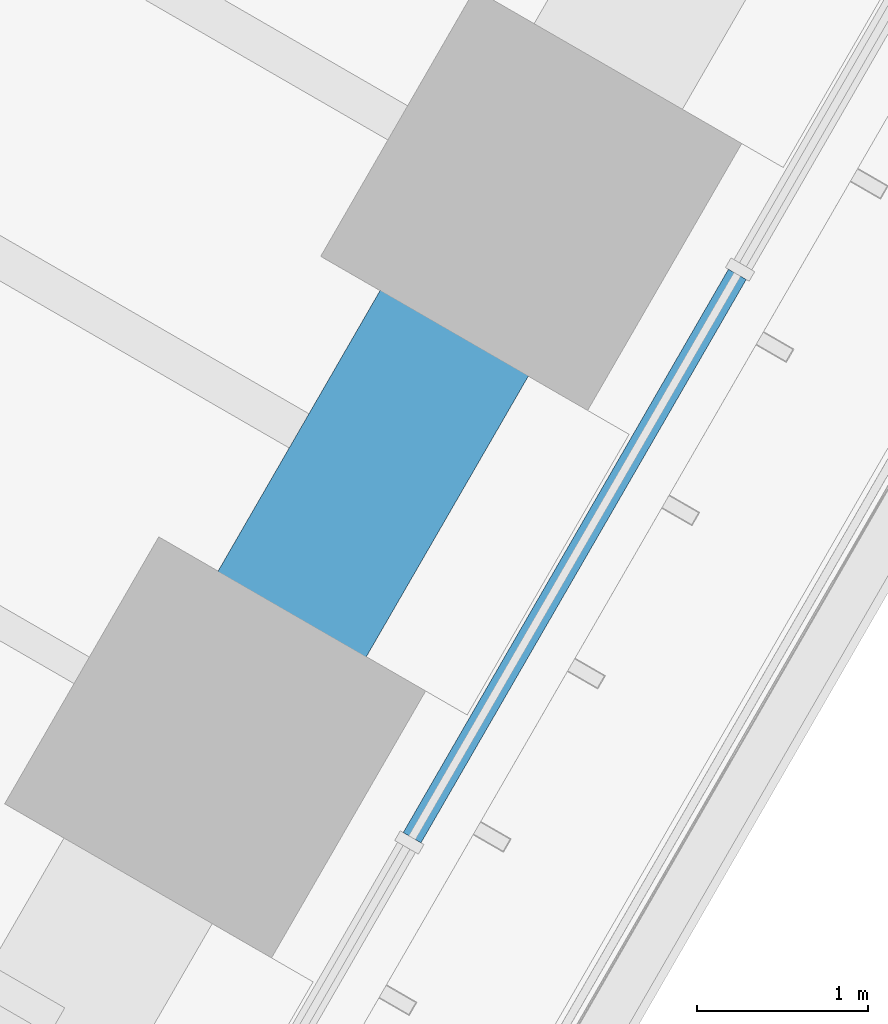
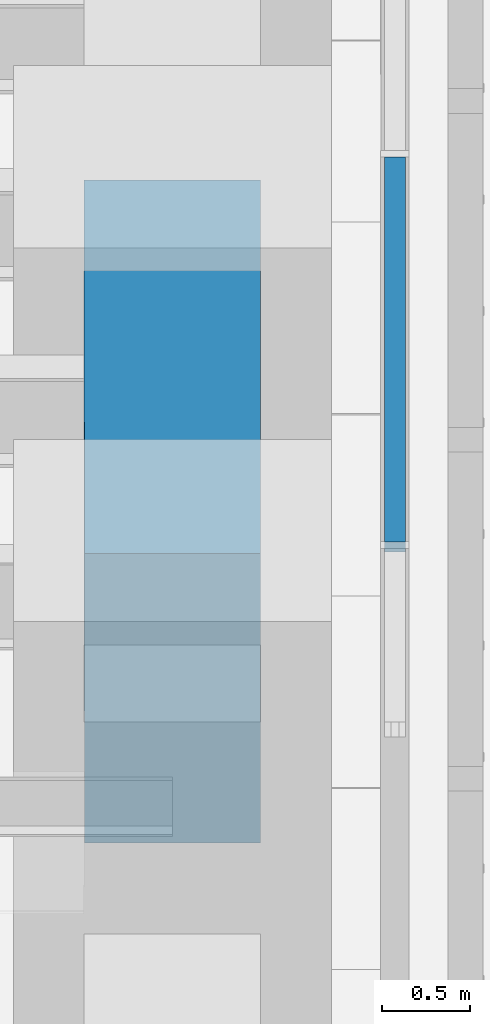
# One storey, part 108 of 228: 1 beam, 1 member, 1 element without a shape of its own.
"""IFC4 building model written with IfcOpenShell, lengths in metres."""

from ifc_helpers import new_model, si_unit, direction, frame, origin, origin_2d, place, context, subcontext, project, spatial, rectangle, extrude, material, material_profile, profile_set, type_object, element, aggregate, save


model = new_model("IFC4")

# Units and contexts
model_context = context("Model", 3, precision=1e-05, world=origin(), true_north=direction((0.0, 1.0)))
body_context = subcontext(model_context, "Body", "Model", "MODEL_VIEW")
ifc_project = project(units=[si_unit("LENGTHUNIT", "METRE"), si_unit("AREAUNIT", "SQUARE_METRE"), si_unit("VOLUMEUNIT", "CUBIC_METRE"), si_unit("PLANEANGLEUNIT", "RADIAN"), si_unit("MASSUNIT", "GRAM", prefix="KILO")], contexts=[model_context])

# Site, building, storey
site_placement = place(None, origin())
site = spatial("IfcSite", under=ifc_project, at=site_placement, CompositionType="ELEMENT")
building_placement = place(site_placement, origin())
building = spatial("IfcBuilding", under=site, at=building_placement, Name="Sandreach Pilgrim Tower", CompositionType="ELEMENT")
storey_placement = place(building_placement, frame((0.0, 0.0, 178.199951171875)))
storey = spatial("IfcBuildingStorey", under=building, at=storey_placement, Name="L44", CompositionType="ELEMENT", Elevation=178.199951171875)

# Curtain wall, member
ifc_material_1 = material(Name="Aluminium framed curtain wall", Category="aluminium")
curtain_wall_type = type_object("IfcCurtainWallType", Name="Upper hotel tower curtain wall", PredefinedType="NOTDEFINED", material=ifc_material_1)
curtain_wall_placement = place(storey_placement, origin())
curtain_wall = element("IfcCurtainWall", 1, at=curtain_wall_placement, inside=storey, type_object=curtain_wall_type, Name="CW-3 L44 SE", PredefinedType="NOTDEFINED")
ifc_material_2 = material(Name="Aluminium extrusion", Category="aluminium")
ifc_material_profile_1 = material_profile(ifc_material_2, rectangle(XDim=0.1201171875, YDim=0.070068359375, at=origin_2d()), Name="CW-3T 120X70")
ifc_profile_set_1 = profile_set([ifc_material_profile_1], Name="Aluminium extrusion")
member_type = type_object("IfcMemberType", Name="CW-3 transom", PredefinedType="USERDEFINED", material=ifc_profile_set_1)
member_placement = place(storey_placement, frame((21.207275390625, -5.588134765625, 4.804931640625), z_axis=(-0.499974606132, -0.866040064445, 0.0), x_axis=(0.866040064445, -0.499974606132, 0.0)))
member = element("IfcMember", 2, at=member_placement, type_object=member_type, Name="CW-3 head transom 4", ObjectType="TRANSOM", PredefinedType="USERDEFINED", context=body_context, shape_type="SweptSolid", body=[
    extrude(rectangle(XDim=0.1201171875, YDim=0.070068359375, at=origin_2d()), origin(), (0.0, 0.0, 1.0), 3.799560546875),
])
aggregate(curtain_wall, [member])

# Beam
ifc_material_3 = material(Name="Concrete 10000 psi", Category="concrete")
ifc_material_profile_2 = material_profile(ifc_material_3, rectangle(XDim=1.0, YDim=2.0, at=origin_2d()), Name="RC1000X2000")
ifc_profile_set_2 = profile_set([ifc_material_profile_2], Name="Concrete 10000 psi")
beam_type = type_object("IfcBeamType", Name="Spandrel beam RC1000X2000", PredefinedType="SPANDREL", material=ifc_profile_set_2)
beam_placement = place(storey_placement, frame((20.00341796875, -5.1533203125, 3.840087890625), z_axis=(-0.499993363642, -0.866029235253, 0.0), x_axis=(0.866029235253, -0.499993363642, 0.0)))
element("IfcBeam", 3, at=beam_placement, inside=storey, type_object=beam_type, Name="BM L44 SP16", PredefinedType="SPANDREL", context=body_context, shape_type="SweptSolid", body=[
    extrude(rectangle(XDim=1.0, YDim=2.0, at=origin_2d()), origin(), (0.0, 0.0, 1.0), 3.6923828125),
])

save(model, "model.ifc")
